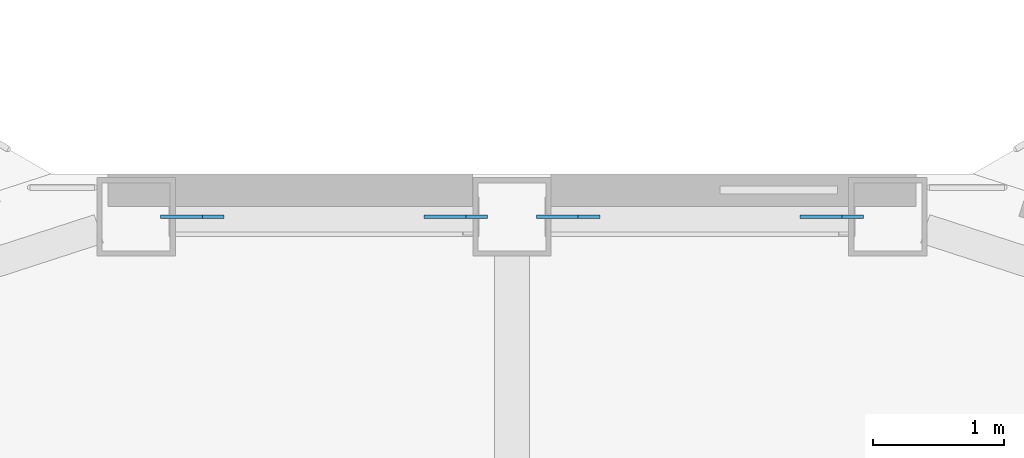
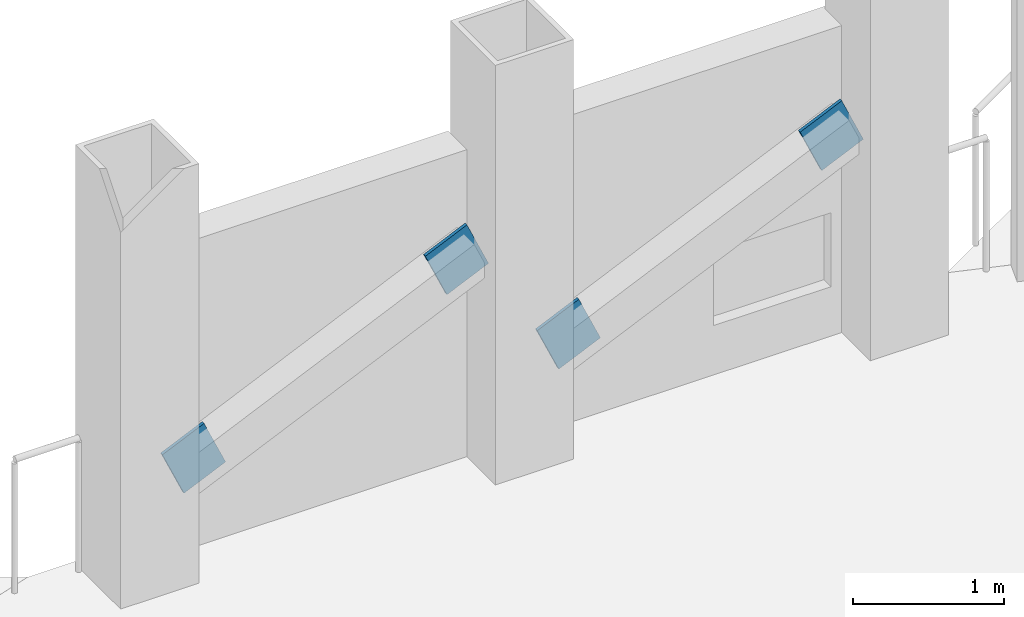
# One storey, part 22 of 28: 4 discrete accessories.
"""IFC4 building model written with IfcOpenShell, lengths in metres."""

from ifc_helpers import new_model, si_unit, direction, frame, origin, origin_2d, place, context, subcontext, project, spatial, rectangle, extrude, material, material_profile, profile_set, type_object, element, save


model = new_model("IFC4")

# Units and contexts
model_context = context("Model", 3, precision=1e-05, world=origin(), true_north=direction((0.0, 1.0)))
body_context = subcontext(model_context, "Body", "Model", "MODEL_VIEW")
ifc_project = project(units=[si_unit("LENGTHUNIT", "METRE"), si_unit("AREAUNIT", "SQUARE_METRE"), si_unit("VOLUMEUNIT", "CUBIC_METRE"), si_unit("PLANEANGLEUNIT", "RADIAN"), si_unit("MASSUNIT", "GRAM", prefix="KILO")], contexts=[model_context])

# Site, building, storey
site_placement = place(None, origin())
site = spatial("IfcSite", under=ifc_project, at=site_placement, CompositionType="ELEMENT")
building_placement = place(site_placement, origin())
building = spatial("IfcBuilding", under=site, at=building_placement, Name="Cormorant Prow Tower", CompositionType="ELEMENT")
storey_placement = place(building_placement, frame((0.0, 0.0, 305.199951171875)))
storey = spatial("IfcBuildingStorey", under=building, at=storey_placement, Name="L66", CompositionType="ELEMENT", Elevation=305.199951171875)

# Discrete accessories
ifc_material = material(Name="Structural steel ASTM A500 Gr C", Category="steel")
ifc_material_profile = material_profile(ifc_material, rectangle(XDim=0.02490234375, YDim=0.405029296875, at=origin_2d()), Name="Gusset plate 25x405")
ifc_profile_set = profile_set([ifc_material_profile], Name="Structural steel ASTM A500 Gr C")
discrete_accessory_type = type_object("IfcDiscreteAccessoryType", Name="Gusset plate 25x405", PredefinedType="BRACKET", material=ifc_profile_set)
for number, where, z_axis, x_axis, name in (
    (1, (0.588623046875, 31.676025390625, 0.86376953125), (-0.912599106234, 0.0, -0.408855562884), (0.0, -1.0, 0.0), "Gusset plate GP3 L66.N00.g0"),
    (2, (2.28515625, 31.676025390625, 1.624267578125), (0.912599106234, 0.0, 0.408855562884), (0.0, 1.0, 0.0), "Gusset plate GP3 L66.N00.g1"),
    (3, (-2.28515625, 31.676025390625, 0.86376953125), (-0.912599106234, 0.0, -0.408855562884), (0.0, -1.0, 0.0), "Gusset plate GP3 L66.N01.g0"),
    (4, (-0.588623046875, 31.676025390625, 1.624267578125), (0.912599106234, 0.0, 0.408855562884), (0.0, 1.0, 0.0), "Gusset plate GP3 L66.N01.g1"),
):
    element("IfcDiscreteAccessory", number, at=place(storey_placement, frame(where, z_axis=z_axis, x_axis=x_axis)), inside=storey, type_object=discrete_accessory_type, Name=name, PredefinedType="BRACKET", context=body_context, shape_type="SweptSolid", body=[
        extrude(rectangle(XDim=0.02490234375, YDim=0.405029296875, at=origin_2d()), origin(), (0.0, 0.0, 1.0), 0.349853515625),
    ])

save(model, "model.ifc")
